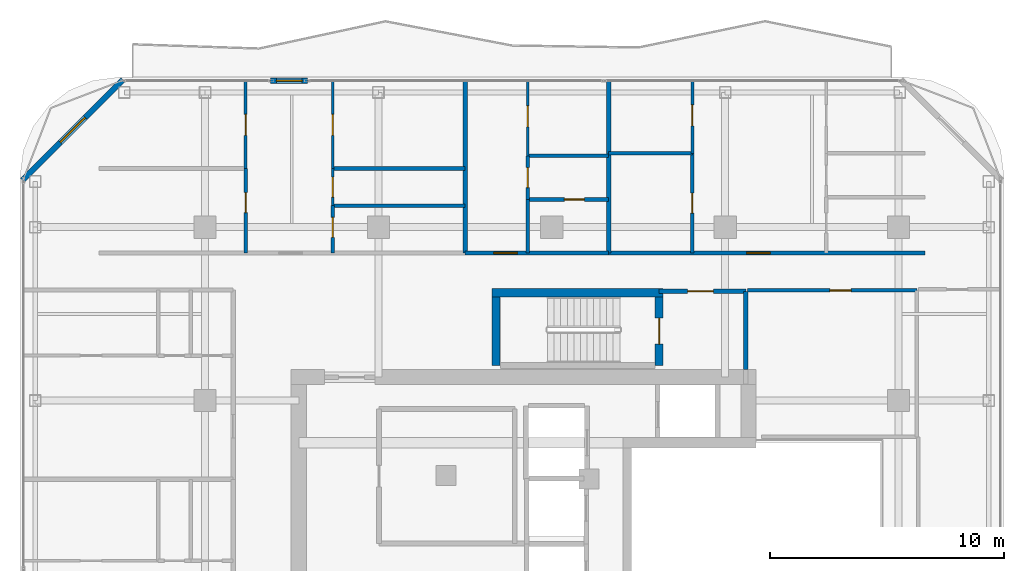
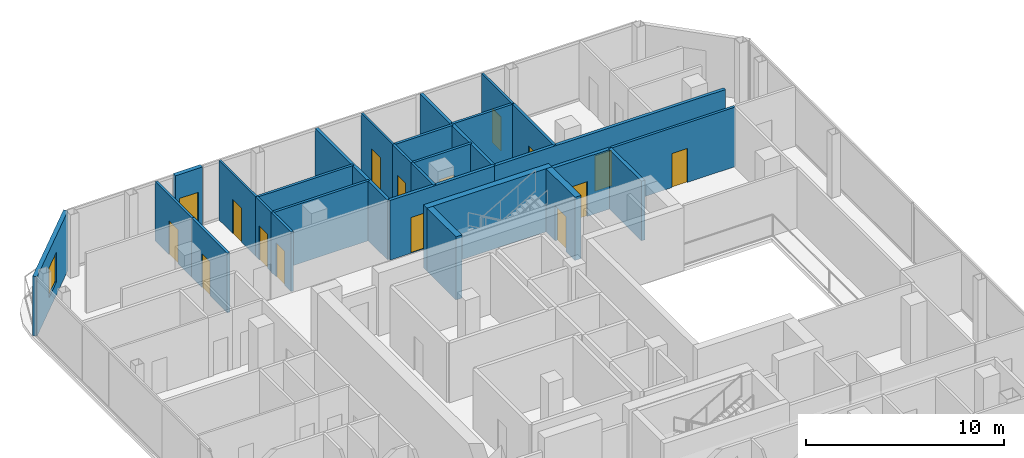
# One storey, part 19 of 23: 27 walls, 16 doors, 1 window, 17 openings.
"""IFC4 building model written with IfcOpenShell, lengths in metres."""

from ifc_helpers import new_model, si_unit, direction, frame, frame_2d, origin, place, context, subcontext, project, spatial, rectangle, extrude, material, layer, layer_set, type_object, element, fill, save


model = new_model("IFC4")

# Units and contexts
model_context = context("Model", 3, precision=1e-05, world=origin(), true_north=direction((0.0, 1.0)))
body_context = subcontext(model_context, "Body", "Model", "MODEL_VIEW")
ifc_project = project(units=[si_unit("LENGTHUNIT", "METRE"), si_unit("AREAUNIT", "SQUARE_METRE"), si_unit("VOLUMEUNIT", "CUBIC_METRE"), si_unit("PLANEANGLEUNIT", "RADIAN"), si_unit("MASSUNIT", "GRAM", prefix="KILO")], contexts=[model_context])

# Site, building, storey
site_placement = place(None, origin())
site = spatial("IfcSite", under=ifc_project, at=site_placement, CompositionType="ELEMENT")
building_placement = place(site_placement, origin())
building = spatial("IfcBuilding", under=site, at=building_placement, Name="Khorvyn Point Tower", CompositionType="ELEMENT")
storey_placement = place(building_placement, frame((0.0, 0.0, 297.60009765625)))
storey = spatial("IfcBuildingStorey", under=building, at=storey_placement, Name="L73", CompositionType="ELEMENT", Elevation=297.60009765625)

# Wall, opening, door
ifc_material_1 = material(Name="Double acoustic gypsum on twin steel stud", Category="steel")
ifc_layer_1 = layer(ifc_material_1, 0.179931640625)
ifc_layer_set_1 = layer_set([ifc_layer_1], Name="Acoustic Double-Stud Apartment Demising Wall 180")
wall_type_1 = type_object("IfcWallType", Name="Acoustic Double-Stud Apartment Demising Wall 180", PredefinedType="PARTITIONING", material=ifc_layer_set_1)
wall_1_placement = place(storey_placement, frame((-3.697021484375, 13.699951171875, 0.0), z_axis=(0.0, 0.0, 1.0), x_axis=(1.0, 0.0, 0.0)))
wall_1 = element("IfcWall", 1, at=wall_1_placement, inside=storey, type_object=wall_type_1, Name="Wall", PredefinedType="PARTITIONING", context=body_context, shape_type="SweptSolid", body=[
    extrude(rectangle(XDim=6.1259765625, YDim=0.179931640625, at=frame_2d((3.06298828125, 0.0))), origin(), (0.0, 0.0, 1.0), 3.679931640625),
])
opening_1_placement = place(wall_1_placement, frame((1.22802734375, 0.0, 0.0)))
opening_1 = element("IfcOpeningElement", 2, at=opening_1_placement, cuts=wall_1, Name="Opening ID-AP60", PredefinedType="OPENING", context=body_context, shape_type="SweptSolid", body=[
    extrude(rectangle(XDim=1.0, YDim=2.199951171875, at=frame_2d((0.5, 1.10009765625))), frame((0.0, 0.099853515625, 0.0), z_axis=(0.0, -1.0, 0.0), x_axis=(1.0, 0.0, 0.0)), (0.0, 0.0, 1.0), 0.199951171875),
])
ifc_material_2 = material(Name="Engineered hardwood fire-rated leaf", Category="wood")
door_type_1 = type_object("IfcDoorType", Name="Acoustic Solid-Core Timber Apartment Entrance Door 1000x2200", OperationType="NOTDEFINED", PredefinedType="DOOR", material=ifc_material_2)
door_1_placement = place(opening_1_placement, origin())
door_1 = element("IfcDoor", 3, at=door_1_placement, inside=storey, type_object=door_type_1, Name="Door", OperationType="SINGLE_SWING_RIGHT", OverallHeight=2.199951171875, OverallWidth=1.0, PredefinedType="DOOR", context=body_context, shape_type="SweptSolid", body=[
    extrude(rectangle(XDim=1.0, YDim=2.199951171875, at=frame_2d((0.5, 1.10009765625))), frame((0.0, 0.02490234375, 0.0), z_axis=(0.0, -1.0, 0.0), x_axis=(1.0, 0.0, 0.0)), (0.0, 0.0, 1.0), 0.050048828125),
])
fill(opening_1, door_1)

wall_2_placement = place(storey_placement, frame((2.428955078125, 13.699951171875, 0.0), z_axis=(0.0, 0.0, 1.0), x_axis=(1.0, 0.0, 0.0)))
wall_2 = element("IfcWall", 4, at=wall_2_placement, inside=storey, type_object=wall_type_1, Name="Wall", PredefinedType="PARTITIONING", context=body_context, shape_type="SweptSolid", body=[
    extrude(rectangle(XDim=13.490966796875, YDim=0.179931640625, at=frame_2d((6.74560546875, 0.0))), origin(), (0.0, 0.0, 1.0), 3.679931640625),
])
opening_2_placement = place(wall_2_placement, frame((5.887451171875, 0.0, 0.0)))
opening_2 = element("IfcOpeningElement", 5, at=opening_2_placement, cuts=wall_2, Name="Opening ID-AP60", PredefinedType="OPENING", context=body_context, shape_type="SweptSolid", body=[
    extrude(rectangle(XDim=1.0, YDim=2.199951171875, at=frame_2d((0.5, 1.10009765625))), frame((0.0, 0.099853515625, 0.0), z_axis=(0.0, -1.0, 0.0), x_axis=(1.0, 0.0, 0.0)), (0.0, 0.0, 1.0), 0.199951171875),
])
door_2_placement = place(opening_2_placement, origin())
door_2 = element("IfcDoor", 6, at=door_2_placement, inside=storey, type_object=door_type_1, Name="Door", OperationType="SINGLE_SWING_RIGHT", OverallHeight=2.199951171875, OverallWidth=1.0, PredefinedType="DOOR", context=body_context, shape_type="SweptSolid", body=[
    extrude(rectangle(XDim=1.0, YDim=2.199951171875, at=frame_2d((0.5, 1.10009765625))), frame((0.0, 0.02490234375, 0.0), z_axis=(0.0, -1.0, 0.0), x_axis=(1.0, 0.0, 0.0)), (0.0, 0.0, 1.0), 0.050048828125),
])
fill(opening_2, door_2)

# Walls
for number, where, z_axis, x_axis, name in (
    (7, (-3.697021484375, 13.699951171875, 0.0), (0.0, 0.0, 1.0), (0.0, 1.0, 0.0), "Wall"),
    (8, (2.428955078125, 13.699951171875, 0.0), (0.0, 0.0, 1.0), (0.0, 1.0, 0.0), "Wall"),
):
    element("IfcWall", number, at=place(storey_placement, frame(where, z_axis=z_axis, x_axis=x_axis)), inside=storey, type_object=wall_type_1, Name=name, PredefinedType="PARTITIONING", context=body_context, shape_type="SweptSolid", body=[
        extrude(rectangle(XDim=7.330078125, YDim=0.179931640625, at=frame_2d((3.6650390625, 0.0))), origin(), (0.0, 0.0, 1.0), 3.679931640625),
    ])

# Wall, opening, door
ifc_material_3 = material(Name="Pale anodised aluminium rainscreen on steel stud", Category="steel")
ifc_layer_2 = layer(ifc_material_3, 0.239990234375)
ifc_layer_set_2 = layer_set([ifc_layer_2], Name="Anodised Aluminium Insulated Corner Spandrel Wall 240")
wall_type_2 = type_object("IfcWallType", Name="Anodised Aluminium Insulated Corner Spandrel Wall 240", PredefinedType="SOLIDWALL", material=ifc_layer_set_2)
wall_3_placement = place(storey_placement, frame((-12.0, 21.050048828125, 0.0), z_axis=(0.0, 0.0, 1.0), x_axis=(1.0, 0.0, 0.0)))
wall_3 = element("IfcWall", 9, at=wall_3_placement, inside=storey, type_object=wall_type_2, Name="L73 North Outdoor Threshold Wall", PredefinedType="SOLIDWALL", context=body_context, shape_type="SweptSolid", body=[
    extrude(rectangle(XDim=1.580078125, YDim=0.239990234375, at=frame_2d((0.7900390625, 0.0))), origin(), (0.0, 0.0, 1.0), 3.679931640625),
])
opening_3_placement = place(wall_3_placement, frame((0.239990234375, 0.0, 0.0)))
opening_3 = element("IfcOpeningElement", 10, at=opening_3_placement, cuts=wall_3, Name="Opening BD-1122", PredefinedType="OPENING", context=body_context, shape_type="SweptSolid", body=[
    extrude(rectangle(XDim=1.10009765625, YDim=2.199951171875, at=frame_2d((0.550048828125, 1.10009765625))), frame((0.0, 0.1298828125, 0.0), z_axis=(0.0, -1.0, 0.0), x_axis=(1.0, 0.0, 0.0)), (0.0, 0.0, 1.0), 0.260009765625),
])
ifc_material_4 = material(Name="Anodised aluminium 6063-T6 and laminated Low-E glass", Category="aluminium")
door_type_2 = type_object("IfcDoorType", Name="Glazed Balcony and Terrace Threshold Door 1100x2200", OperationType="NOTDEFINED", PredefinedType="DOOR", material=ifc_material_4)
door_3_placement = place(opening_3_placement, origin())
door_3 = element("IfcDoor", 11, at=door_3_placement, inside=storey, type_object=door_type_2, Name="L73 North Glazed Balcony Outdoor Door", OperationType="SINGLE_SWING_RIGHT", OverallHeight=2.199951171875, OverallWidth=1.10009765625, PredefinedType="DOOR", context=body_context, shape_type="SweptSolid", body=[
    extrude(rectangle(XDim=1.10009765625, YDim=2.199951171875, at=frame_2d((0.550048828125, 1.10009765625))), frame((0.0, 0.02490234375, 0.0), z_axis=(0.0, -1.0, 0.0), x_axis=(1.0, 0.0, 0.0)), (0.0, 0.0, 1.0), 0.050048828125),
])
fill(opening_3, door_3)

# Wall, opening, window
wall_4_placement = place(storey_placement, frame((-22.59228515625, 16.8076171875, 0.0), z_axis=(0.0, 0.0, 1.0), x_axis=(0.707106781187, 0.707106781187, 0.0)))
wall_4 = element("IfcWall", 12, at=wall_4_placement, inside=storey, type_object=wall_type_2, Name="L73 Rounded Corner Wall NW", PredefinedType="SOLIDWALL", context=body_context, shape_type="SweptSolid", body=[
    extrude(rectangle(XDim=6.059326171875, YDim=0.239990234375, at=frame_2d((3.02978515625, 0.0))), origin(), (0.0, 0.0, 1.0), 3.679931640625),
])
opening_4_placement = place(wall_4_placement, frame((2.27978515625, 0.0, 0.800048828125)))
opening_4 = element("IfcOpeningElement", 13, at=opening_4_placement, cuts=wall_4, Name="Opening WN-1518", PredefinedType="OPENING", context=body_context, shape_type="SweptSolid", body=[
    extrude(rectangle(XDim=1.5, YDim=1.85009765625, at=frame_2d((0.75, 0.925048828125))), frame((0.0, 0.1298828125, 0.0), z_axis=(0.0, -1.0, 0.0), x_axis=(1.0, 0.0, 0.0)), (0.0, 0.0, 1.0), 0.260009765625),
])
window_type = type_object("IfcWindowType", Name="Anodised Aluminium Rounded-Corner Panoramic Window 1500x1850", PartitioningType="SINGLE_PANEL", PredefinedType="WINDOW", material=ifc_material_4)
window_placement = place(opening_4_placement, origin())
window = element("IfcWindow", 14, at=window_placement, inside=storey, type_object=window_type, Name="L73 Corner Panoramic Window NW", OverallHeight=1.85009765625, OverallWidth=1.5, PartitioningType="SINGLE_PANEL", PredefinedType="WINDOW", context=body_context, shape_type="SweptSolid", body=[
    extrude(rectangle(XDim=1.5, YDim=1.85009765625, at=frame_2d((0.75, 0.925048828125))), frame((0.0, 0.030029296875, 0.0), z_axis=(0.0, -1.0, 0.0), x_axis=(1.0, 0.0, 0.0)), (0.0, 0.0, 1.0), 0.06005859375),
])
fill(opening_4, window)

# Wall, opening, door
ifc_material_5 = material(Name="Concrete C40/50", Category="concrete")
ifc_layer_3 = layer(ifc_material_5, 0.199951171875)
ifc_layer_set_3 = layer_set([ifc_layer_3], Name="Concrete C40/50 Fire-Lobby Compartment Wall 200")
wall_type_3 = type_object("IfcWallType", Name="Concrete C40/50 Fire-Lobby Compartment Wall 200", PredefinedType="SOLIDWALL", material=ifc_layer_set_3)
wall_5_placement = place(storey_placement, frame((4.580078125, 12.06005859375, 0.0), z_axis=(0.0, 0.0, 1.0), x_axis=(1.0, 0.0, 0.0)))
wall_5 = element("IfcWall", 15, at=wall_5_placement, inside=storey, type_object=wall_type_3, Name="Wall", PredefinedType="SOLIDWALL", context=body_context, shape_type="SweptSolid", body=[
    extrude(rectangle(XDim=3.699951171875, YDim=0.199951171875, at=frame_2d((1.85009765625, 0.0))), origin(), (0.0, 0.0, 1.0), 3.679931640625),
])
opening_5_placement = place(wall_5_placement, frame((1.21240234375, 0.0, 0.0)))
opening_5 = element("IfcOpeningElement", 16, at=opening_5_placement, cuts=wall_5, Name="Opening ID-FL90", PredefinedType="OPENING", context=body_context, shape_type="SweptSolid", body=[
    extrude(rectangle(XDim=1.10009765625, YDim=2.14990234375, at=frame_2d((0.550048828125, 1.074951171875))), frame((0.0, 0.10986328125, 0.0), z_axis=(0.0, -1.0, 0.0), x_axis=(1.0, 0.0, 0.0)), (0.0, 0.0, 1.0), 0.219970703125),
])
ifc_material_6 = material(Name="Galvanised powder-coated steel", Category="steel")
door_type_3 = type_object("IfcDoorType", Name="Fire-Rated Steel Lobby and Stair Door 1100x2150", OperationType="NOTDEFINED", PredefinedType="DOOR", material=ifc_material_6)
door_4_placement = place(opening_5_placement, origin())
door_4 = element("IfcDoor", 17, at=door_4_placement, inside=storey, type_object=door_type_3, Name="Door", OperationType="SINGLE_SWING_RIGHT", OverallHeight=2.14990234375, OverallWidth=1.10009765625, PredefinedType="DOOR", context=body_context, shape_type="SweptSolid", body=[
    extrude(rectangle(XDim=1.10009765625, YDim=2.14990234375, at=frame_2d((0.550048828125, 1.074951171875))), frame((0.0, 0.02490234375, 0.0), z_axis=(0.0, -1.0, 0.0), x_axis=(1.0, 0.0, 0.0)), (0.0, 0.0, 1.0), 0.050048828125),
])
fill(opening_5, door_4)

# Walls
wall_6_placement = place(storey_placement, frame((8.280029296875, 8.72509765625, 0.0), z_axis=(0.0, 0.0, 1.0), x_axis=(0.0, 1.0, 0.0)))
element("IfcWall", 18, at=wall_6_placement, inside=storey, type_object=wall_type_3, Name="Wall", PredefinedType="SOLIDWALL", context=body_context, shape_type="SweptSolid", body=[
    extrude(rectangle(XDim=3.3349609375, YDim=0.199951171875, at=frame_2d((1.66748046875, 0.0))), origin(), (0.0, 0.0, 1.0), 3.679931640625),
])
ifc_layer_4 = layer(ifc_material_5, 0.35009765625)
ifc_layer_set_4 = layer_set([ifc_layer_4], Name="Concrete C40/50 Stair Shaft Structural Wall 350")
wall_type_4 = type_object("IfcWallType", Name="Concrete C40/50 Stair Shaft Structural Wall 350", PredefinedType="SHEAR", material=ifc_layer_set_4)
wall_7_placement = place(storey_placement, frame((-2.554931640625, 12.0, 0.0), z_axis=(0.0, 0.0, 1.0), x_axis=(1.0, 0.0, 0.0)))
element("IfcWall", 19, at=wall_7_placement, inside=storey, type_object=wall_type_4, Name="L73 ST-02 North Shaft Wall", PredefinedType="SHEAR", context=body_context, shape_type="SweptSolid", body=[
    extrude(rectangle(XDim=7.309814453125, YDim=0.35009765625, at=frame_2d((3.65478515625, 0.0))), origin(), (0.0, 0.0, 1.0), 3.89990234375),
])
wall_8_placement = place(storey_placement, frame((-2.3798828125, 8.89990234375, 0.0), z_axis=(0.0, 0.0, 1.0), x_axis=(0.0, 1.0, 0.0)))
element("IfcWall", 20, at=wall_8_placement, inside=storey, type_object=wall_type_4, Name="L73 ST-02 West Shaft Wall", PredefinedType="SHEAR", context=body_context, shape_type="SweptSolid", body=[
    extrude(rectangle(XDim=2.925048828125, YDim=0.35009765625, at=frame_2d((1.46240234375, 0.0))), origin(), (0.0, 0.0, 1.0), 3.89990234375),
])

# Wall, opening, door
wall_9_placement = place(storey_placement, frame((4.580078125, 11.824951171875, 0.0), z_axis=(0.0, 0.0, 1.0), x_axis=(0.0, -1.0, 0.0)))
wall_9 = element("IfcWall", 21, at=wall_9_placement, inside=storey, type_object=wall_type_4, Name="L73 ST-02 East Landing Door Wall", PredefinedType="SHEAR", context=body_context, shape_type="SweptSolid", body=[
    extrude(rectangle(XDim=2.925048828125, YDim=0.35009765625, at=frame_2d((1.46240234375, 0.0))), origin(), (0.0, 0.0, 1.0), 3.89990234375),
])
opening_6_placement = place(wall_9_placement, frame((0.91259765625, 0.0, 0.0)))
opening_6 = element("IfcOpeningElement", 22, at=opening_6_placement, cuts=wall_9, Name="Opening ID-FL90", PredefinedType="OPENING", context=body_context, shape_type="SweptSolid", body=[
    extrude(rectangle(XDim=1.10009765625, YDim=2.14990234375, at=frame_2d((0.550048828125, 1.074951171875))), frame((0.0, 0.18505859375, 0.0), z_axis=(0.0, -1.0, 0.0), x_axis=(1.0, 0.0, 0.0)), (0.0, 0.0, 1.0), 0.3701171875),
])
door_5_placement = place(opening_6_placement, origin())
door_5 = element("IfcDoor", 23, at=door_5_placement, inside=storey, type_object=door_type_3, Name="L73 ST-02 Smokeproof Landing Door", OperationType="SINGLE_SWING_RIGHT", OverallHeight=2.14990234375, OverallWidth=1.10009765625, PredefinedType="DOOR", context=body_context, shape_type="SweptSolid", body=[
    extrude(rectangle(XDim=1.10009765625, YDim=2.14990234375, at=frame_2d((0.550048828125, 1.074951171875))), frame((0.0, 0.02490234375, 0.0), z_axis=(0.0, -1.0, 0.0), x_axis=(1.0, 0.0, 0.0)), (0.0, 0.0, 1.0), 0.050048828125),
])
fill(opening_6, door_5)

ifc_material_7 = material(Name="Gypsum plasterboard on steel stud", Category="steel")
ifc_layer_5 = layer(ifc_material_7, 0.1201171875)
ifc_layer_set_5 = layer_set([ifc_layer_5], Name="Gypsum Acoustic Stud Room Partition Wall 120")
wall_type_5 = type_object("IfcWallType", Name="Gypsum Acoustic Stud Room Partition Wall 120", PredefinedType="PARTITIONING", material=ifc_layer_set_5)
wall_10_placement = place(storey_placement, frame((-13.071044921875, 17.303955078125, 0.0), z_axis=(0.0, 0.0, 1.0), x_axis=(0.0, 1.0, 0.0)))
wall_10 = element("IfcWall", 24, at=wall_10_placement, inside=storey, type_object=wall_type_5, Name="Wall", PredefinedType="PARTITIONING", context=body_context, shape_type="SweptSolid", body=[
    extrude(rectangle(XDim=3.72607421875, YDim=0.1201171875, at=frame_2d((1.863037109375, 0.0))), origin(), (0.0, 0.0, 1.0), 3.679931640625),
])
opening_7_placement = place(wall_10_placement, frame((1.4130859375, 0.0, 0.0)))
opening_7 = element("IfcOpeningElement", 25, at=opening_7_placement, cuts=wall_10, Name="Opening ID-RM90", PredefinedType="OPENING", context=body_context, shape_type="SweptSolid", body=[
    extrude(rectangle(XDim=0.89990234375, YDim=2.10009765625, at=frame_2d((0.449951171875, 1.050048828125))), frame((0.0, 0.070068359375, 0.0), z_axis=(0.0, -1.0, 0.0), x_axis=(1.0, 0.0, 0.0)), (0.0, 0.0, 1.0), 0.14013671875),
])
ifc_material_8 = material(Name="Engineered oak veneer timber", Category="wood")
door_type_4 = type_object("IfcDoorType", Name="Flush Engineered Timber Room Door 900x2100", OperationType="NOTDEFINED", PredefinedType="DOOR", material=ifc_material_8)
door_6_placement = place(opening_7_placement, origin())
door_6 = element("IfcDoor", 26, at=door_6_placement, inside=storey, type_object=door_type_4, Name="Door", OperationType="SINGLE_SWING_RIGHT", OverallHeight=2.10009765625, OverallWidth=0.89990234375, PredefinedType="DOOR", context=body_context, shape_type="SweptSolid", body=[
    extrude(rectangle(XDim=0.89990234375, YDim=2.10009765625, at=frame_2d((0.449951171875, 1.050048828125))), frame((0.0, 0.02490234375, 0.0), z_axis=(0.0, -1.0, 0.0), x_axis=(1.0, 0.0, 0.0)), (0.0, 0.0, 1.0), 0.050048828125),
])
fill(opening_7, door_6)

wall_11_placement = place(storey_placement, frame((-9.34912109375, 15.718017578125, 0.0), z_axis=(0.0, 0.0, 1.0), x_axis=(0.0, 1.0, 0.0)))
wall_11 = element("IfcWall", 27, at=wall_11_placement, inside=storey, type_object=wall_type_5, Name="Wall", PredefinedType="PARTITIONING", context=body_context, shape_type="SweptSolid", body=[
    extrude(rectangle(XDim=1.5859375, YDim=0.1201171875, at=frame_2d((0.79296875, 0.0))), origin(), (0.0, 0.0, 1.0), 3.679931640625),
])
opening_8_placement = place(wall_11_placement, frame((0.367919921875, 0.0, 0.0)))
opening_8 = element("IfcOpeningElement", 28, at=opening_8_placement, cuts=wall_11, Name="Opening ID-WC85", PredefinedType="OPENING", context=body_context, shape_type="SweptSolid", body=[
    extrude(rectangle(XDim=0.85009765625, YDim=2.10009765625, at=frame_2d((0.425048828125, 1.050048828125))), frame((0.0, 0.070068359375, 0.0), z_axis=(0.0, -1.0, 0.0), x_axis=(1.0, 0.0, 0.0)), (0.0, 0.0, 1.0), 0.14013671875),
])
ifc_material_9 = material(Name="High-pressure laminate on moisture-resistant core", Category="wood")
door_type_5 = type_object("IfcDoorType", Name="Moisture-Resistant Accessible Washroom Door 850x2100", OperationType="NOTDEFINED", PredefinedType="DOOR", material=ifc_material_9)
door_7_placement = place(opening_8_placement, origin())
door_7 = element("IfcDoor", 29, at=door_7_placement, inside=storey, type_object=door_type_5, Name="Door", OperationType="SINGLE_SWING_RIGHT", OverallHeight=2.10009765625, OverallWidth=0.85009765625, PredefinedType="DOOR", context=body_context, shape_type="SweptSolid", body=[
    extrude(rectangle(XDim=0.85009765625, YDim=2.10009765625, at=frame_2d((0.425048828125, 1.050048828125))), frame((0.0, 0.02490234375, 0.0), z_axis=(0.0, -1.0, 0.0), x_axis=(1.0, 0.0, 0.0)), (0.0, 0.0, 1.0), 0.050048828125),
])
fill(opening_8, door_7)

wall_12_placement = place(storey_placement, frame((-9.34912109375, 17.303955078125, 0.0), z_axis=(0.0, 0.0, 1.0), x_axis=(0.0, 1.0, 0.0)))
wall_12 = element("IfcWall", 30, at=wall_12_placement, inside=storey, type_object=wall_type_5, Name="Wall", PredefinedType="PARTITIONING", context=body_context, shape_type="SweptSolid", body=[
    extrude(rectangle(XDim=3.72607421875, YDim=0.1201171875, at=frame_2d((1.863037109375, 0.0))), origin(), (0.0, 0.0, 1.0), 3.679931640625),
])
opening_9_placement = place(wall_12_placement, frame((1.4130859375, 0.0, 0.0)))
opening_9 = element("IfcOpeningElement", 31, at=opening_9_placement, cuts=wall_12, Name="Opening ID-RM90", PredefinedType="OPENING", context=body_context, shape_type="SweptSolid", body=[
    extrude(rectangle(XDim=0.89990234375, YDim=2.10009765625, at=frame_2d((0.449951171875, 1.050048828125))), frame((0.0, 0.070068359375, 0.0), z_axis=(0.0, -1.0, 0.0), x_axis=(1.0, 0.0, 0.0)), (0.0, 0.0, 1.0), 0.14013671875),
])
door_8_placement = place(opening_9_placement, origin())
door_8 = element("IfcDoor", 32, at=door_8_placement, inside=storey, type_object=door_type_4, Name="Door", OperationType="SINGLE_SWING_LEFT", OverallHeight=2.10009765625, OverallWidth=0.89990234375, PredefinedType="DOOR", context=body_context, shape_type="SweptSolid", body=[
    extrude(rectangle(XDim=0.89990234375, YDim=2.10009765625, at=frame_2d((0.449951171875, 1.050048828125))), frame((0.0, 0.02490234375, 0.0), z_axis=(0.0, -1.0, 0.0), x_axis=(1.0, 0.0, 0.0)), (0.0, 0.0, 1.0), 0.050048828125),
])
fill(opening_9, door_8)

wall_13_placement = place(storey_placement, frame((-1.031005859375, 17.846923828125, 0.0), z_axis=(0.0, 0.0, 1.0), x_axis=(0.0, 1.0, 0.0)))
wall_13 = element("IfcWall", 33, at=wall_13_placement, inside=storey, type_object=wall_type_5, Name="Wall", PredefinedType="PARTITIONING", context=body_context, shape_type="SweptSolid", body=[
    extrude(rectangle(XDim=3.18310546875, YDim=0.1201171875, at=frame_2d((1.591552734375, 0.0))), origin(), (0.0, 0.0, 1.0), 3.679931640625),
])
opening_10_placement = place(wall_13_placement, frame((1.230712890625, 0.0, 0.0)))
opening_10 = element("IfcOpeningElement", 34, at=opening_10_placement, cuts=wall_13, Name="Opening ID-RM90", PredefinedType="OPENING", context=body_context, shape_type="SweptSolid", body=[
    extrude(rectangle(XDim=0.89990234375, YDim=2.10009765625, at=frame_2d((0.449951171875, 1.050048828125))), frame((0.0, 0.070068359375, 0.0), z_axis=(0.0, -1.0, 0.0), x_axis=(1.0, 0.0, 0.0)), (0.0, 0.0, 1.0), 0.14013671875),
])
door_9_placement = place(opening_10_placement, origin())
door_9 = element("IfcDoor", 35, at=door_9_placement, inside=storey, type_object=door_type_4, Name="Door", OperationType="SINGLE_SWING_LEFT", OverallHeight=2.10009765625, OverallWidth=0.89990234375, PredefinedType="DOOR", context=body_context, shape_type="SweptSolid", body=[
    extrude(rectangle(XDim=0.89990234375, YDim=2.10009765625, at=frame_2d((0.449951171875, 1.050048828125))), frame((0.0, 0.02490234375, 0.0), z_axis=(0.0, -1.0, 0.0), x_axis=(1.0, 0.0, 0.0)), (0.0, 0.0, 1.0), 0.050048828125),
])
fill(opening_10, door_9)

wall_14_placement = place(storey_placement, frame((5.9990234375, 17.949951171875, 0.0), z_axis=(0.0, 0.0, 1.0), x_axis=(0.0, 1.0, 0.0)))
wall_14 = element("IfcWall", 36, at=wall_14_placement, inside=storey, type_object=wall_type_5, Name="Wall", PredefinedType="PARTITIONING", context=body_context, shape_type="SweptSolid", body=[
    extrude(rectangle(XDim=3.080078125, YDim=0.1201171875, at=frame_2d((1.5400390625, 0.0))), origin(), (0.0, 0.0, 1.0), 3.679931640625),
])
opening_11_placement = place(wall_14_placement, frame((1.174560546875, 0.0, 0.0)))
opening_11 = element("IfcOpeningElement", 37, at=opening_11_placement, cuts=wall_14, Name="Opening ID-RM90", PredefinedType="OPENING", context=body_context, shape_type="SweptSolid", body=[
    extrude(rectangle(XDim=0.89990234375, YDim=2.10009765625, at=frame_2d((0.449951171875, 1.050048828125))), frame((0.0, 0.070068359375, 0.0), z_axis=(0.0, -1.0, 0.0), x_axis=(1.0, 0.0, 0.0)), (0.0, 0.0, 1.0), 0.14013671875),
])
door_10_placement = place(opening_11_placement, origin())
door_10 = element("IfcDoor", 38, at=door_10_placement, inside=storey, type_object=door_type_4, Name="Door", OperationType="SINGLE_SWING_RIGHT", OverallHeight=2.10009765625, OverallWidth=0.89990234375, PredefinedType="DOOR", context=body_context, shape_type="SweptSolid", body=[
    extrude(rectangle(XDim=0.89990234375, YDim=2.10009765625, at=frame_2d((0.449951171875, 1.050048828125))), frame((0.0, 0.02490234375, 0.0), z_axis=(0.0, -1.0, 0.0), x_axis=(1.0, 0.0, 0.0)), (0.0, 0.0, 1.0), 0.050048828125),
])
fill(opening_11, door_10)

ifc_material_10 = material(Name="Moisture-resistant gypsum and cement board", Category="gypsum")
ifc_layer_6 = layer(ifc_material_10, 0.14990234375)
ifc_layer_set_6 = layer_set([ifc_layer_6], Name="Moisture-Resistant Wet-Room Partition Wall 150")
wall_type_6 = type_object("IfcWallType", Name="Moisture-Resistant Wet-Room Partition Wall 150", PredefinedType="PARTITIONING", material=ifc_layer_set_6)
wall_15_placement = place(storey_placement, frame((8.360107421875, 12.10009765625, 0.0), z_axis=(0.0, 0.0, 1.0), x_axis=(1.0, 0.0, 0.0)))
wall_15 = element("IfcWall", 39, at=wall_15_placement, inside=storey, type_object=wall_type_6, Name="Wall", PredefinedType="PARTITIONING", context=body_context, shape_type="SweptSolid", body=[
    extrude(rectangle(XDim=7.219970703125, YDim=0.14990234375, at=frame_2d((3.60986328125, 0.0))), origin(), (0.0, 0.0, 1.0), 3.679931640625),
])
opening_12_placement = place(wall_15_placement, frame((3.512939453125, 0.0, 0.0)))
opening_12 = element("IfcOpeningElement", 40, at=opening_12_placement, cuts=wall_15, Name="Opening ID-RM90", PredefinedType="OPENING", context=body_context, shape_type="SweptSolid", body=[
    extrude(rectangle(XDim=0.89990234375, YDim=2.10009765625, at=frame_2d((0.449951171875, 1.050048828125))), frame((0.0, 0.0849609375, 0.0), z_axis=(0.0, -1.0, 0.0), x_axis=(1.0, 0.0, 0.0)), (0.0, 0.0, 1.0), 0.169921875),
])
door_11_placement = place(opening_12_placement, origin())
door_11 = element("IfcDoor", 41, at=door_11_placement, inside=storey, type_object=door_type_4, Name="Door", OperationType="SINGLE_SWING_LEFT", OverallHeight=2.10009765625, OverallWidth=0.89990234375, PredefinedType="DOOR", context=body_context, shape_type="SweptSolid", body=[
    extrude(rectangle(XDim=0.89990234375, YDim=2.10009765625, at=frame_2d((0.449951171875, 1.050048828125))), frame((0.0, 0.02490234375, 0.0), z_axis=(0.0, -1.0, 0.0), x_axis=(1.0, 0.0, 0.0)), (0.0, 0.0, 1.0), 0.050048828125),
])
fill(opening_12, door_11)

wall_16_placement = place(storey_placement, frame((-13.071044921875, 13.699951171875, 0.0), z_axis=(0.0, 0.0, 1.0), x_axis=(0.0, 1.0, 0.0)))
wall_16 = element("IfcWall", 42, at=wall_16_placement, inside=storey, type_object=wall_type_6, Name="Wall", PredefinedType="PARTITIONING", context=body_context, shape_type="SweptSolid", body=[
    extrude(rectangle(XDim=3.60400390625, YDim=0.14990234375, at=frame_2d((1.802001953125, 0.0))), origin(), (0.0, 0.0, 1.0), 3.679931640625),
])
opening_13_placement = place(wall_16_placement, frame((1.724609375, 0.0, 0.0)))
opening_13 = element("IfcOpeningElement", 43, at=opening_13_placement, cuts=wall_16, Name="Opening ID-WC85", PredefinedType="OPENING", context=body_context, shape_type="SweptSolid", body=[
    extrude(rectangle(XDim=0.85009765625, YDim=2.10009765625, at=frame_2d((0.425048828125, 1.050048828125))), frame((0.0, 0.0849609375, 0.0), z_axis=(0.0, -1.0, 0.0), x_axis=(1.0, 0.0, 0.0)), (0.0, 0.0, 1.0), 0.169921875),
])
door_12_placement = place(opening_13_placement, origin())
door_12 = element("IfcDoor", 44, at=door_12_placement, inside=storey, type_object=door_type_5, Name="Door", OperationType="SINGLE_SWING_LEFT", OverallHeight=2.10009765625, OverallWidth=0.85009765625, PredefinedType="DOOR", context=body_context, shape_type="SweptSolid", body=[
    extrude(rectangle(XDim=0.85009765625, YDim=2.10009765625, at=frame_2d((0.425048828125, 1.050048828125))), frame((0.0, 0.02490234375, 0.0), z_axis=(0.0, -1.0, 0.0), x_axis=(1.0, 0.0, 0.0)), (0.0, 0.0, 1.0), 0.050048828125),
])
fill(opening_13, door_12)

wall_17_placement = place(storey_placement, frame((-9.34912109375, 13.699951171875, 0.0), z_axis=(0.0, 0.0, 1.0), x_axis=(0.0, 1.0, 0.0)))
wall_17 = element("IfcWall", 45, at=wall_17_placement, inside=storey, type_object=wall_type_6, Name="Wall", PredefinedType="PARTITIONING", context=body_context, shape_type="SweptSolid", body=[
    extrude(rectangle(XDim=2.01806640625, YDim=0.14990234375, at=frame_2d((1.009033203125, 0.0))), origin(), (0.0, 0.0, 1.0), 3.679931640625),
])
opening_14_placement = place(wall_17_placement, frame((0.668701171875, 0.0, 0.0)))
opening_14 = element("IfcOpeningElement", 46, at=opening_14_placement, cuts=wall_17, Name="Opening ID-WC85", PredefinedType="OPENING", context=body_context, shape_type="SweptSolid", body=[
    extrude(rectangle(XDim=0.85009765625, YDim=2.10009765625, at=frame_2d((0.425048828125, 1.050048828125))), frame((0.0, 0.0849609375, 0.0), z_axis=(0.0, -1.0, 0.0), x_axis=(1.0, 0.0, 0.0)), (0.0, 0.0, 1.0), 0.169921875),
])
door_13_placement = place(opening_14_placement, origin())
door_13 = element("IfcDoor", 47, at=door_13_placement, inside=storey, type_object=door_type_5, Name="Door", OperationType="SINGLE_SWING_LEFT", OverallHeight=2.10009765625, OverallWidth=0.85009765625, PredefinedType="DOOR", context=body_context, shape_type="SweptSolid", body=[
    extrude(rectangle(XDim=0.85009765625, YDim=2.10009765625, at=frame_2d((0.425048828125, 1.050048828125))), frame((0.0, 0.02490234375, 0.0), z_axis=(0.0, -1.0, 0.0), x_axis=(1.0, 0.0, 0.0)), (0.0, 0.0, 1.0), 0.050048828125),
])
fill(opening_14, door_13)

# Wall
wall_18_placement = place(storey_placement, frame((-1.031005859375, 13.699951171875, 0.0), z_axis=(0.0, 0.0, 1.0), x_axis=(0.0, 1.0, 0.0)))
element("IfcWall", 48, at=wall_18_placement, inside=storey, type_object=wall_type_6, Name="Wall", PredefinedType="PARTITIONING", context=body_context, shape_type="SweptSolid", body=[
    extrude(rectangle(XDim=2.281005859375, YDim=0.14990234375, at=frame_2d((1.140625, 0.0))), origin(), (0.0, 0.0, 1.0), 3.679931640625),
])

# Wall, opening, door
wall_19_placement = place(storey_placement, frame((-1.031005859375, 15.98095703125, 0.0), z_axis=(0.0, 0.0, 1.0), x_axis=(0.0, 1.0, 0.0)))
wall_19 = element("IfcWall", 49, at=wall_19_placement, inside=storey, type_object=wall_type_6, Name="Wall", PredefinedType="PARTITIONING", context=body_context, shape_type="SweptSolid", body=[
    extrude(rectangle(XDim=1.865966796875, YDim=0.14990234375, at=frame_2d((0.93310546875, 0.0))), origin(), (0.0, 0.0, 1.0), 3.679931640625),
])
opening_15_placement = place(wall_19_placement, frame((0.508056640625, 0.0, 0.0)))
opening_15 = element("IfcOpeningElement", 50, at=opening_15_placement, cuts=wall_19, Name="Opening ID-WC85", PredefinedType="OPENING", context=body_context, shape_type="SweptSolid", body=[
    extrude(rectangle(XDim=0.85009765625, YDim=2.10009765625, at=frame_2d((0.425048828125, 1.050048828125))), frame((0.0, 0.0849609375, 0.0), z_axis=(0.0, -1.0, 0.0), x_axis=(1.0, 0.0, 0.0)), (0.0, 0.0, 1.0), 0.169921875),
])
door_14_placement = place(opening_15_placement, origin())
door_14 = element("IfcDoor", 51, at=door_14_placement, inside=storey, type_object=door_type_5, Name="Door", OperationType="SINGLE_SWING_RIGHT", OverallHeight=2.10009765625, OverallWidth=0.85009765625, PredefinedType="DOOR", context=body_context, shape_type="SweptSolid", body=[
    extrude(rectangle(XDim=0.85009765625, YDim=2.10009765625, at=frame_2d((0.425048828125, 1.050048828125))), frame((0.0, 0.02490234375, 0.0), z_axis=(0.0, -1.0, 0.0), x_axis=(1.0, 0.0, 0.0)), (0.0, 0.0, 1.0), 0.050048828125),
])
fill(opening_15, door_14)

wall_20_placement = place(storey_placement, frame((5.9990234375, 13.699951171875, 0.0), z_axis=(0.0, 0.0, 1.0), x_axis=(0.0, 1.0, 0.0)))
wall_20 = element("IfcWall", 52, at=wall_20_placement, inside=storey, type_object=wall_type_6, Name="Wall", PredefinedType="PARTITIONING", context=body_context, shape_type="SweptSolid", body=[
    extrude(rectangle(XDim=4.25, YDim=0.14990234375, at=frame_2d((2.125, 0.0))), origin(), (0.0, 0.0, 1.0), 3.679931640625),
])
opening_16_placement = place(wall_20_placement, frame((1.699951171875, 0.0, 0.0)))
opening_16 = element("IfcOpeningElement", 53, at=opening_16_placement, cuts=wall_20, Name="Opening ID-WC85", PredefinedType="OPENING", context=body_context, shape_type="SweptSolid", body=[
    extrude(rectangle(XDim=0.85009765625, YDim=2.10009765625, at=frame_2d((0.425048828125, 1.050048828125))), frame((0.0, 0.0849609375, 0.0), z_axis=(0.0, -1.0, 0.0), x_axis=(1.0, 0.0, 0.0)), (0.0, 0.0, 1.0), 0.169921875),
])
door_15_placement = place(opening_16_placement, origin())
door_15 = element("IfcDoor", 54, at=door_15_placement, inside=storey, type_object=door_type_5, Name="Door", OperationType="SINGLE_SWING_LEFT", OverallHeight=2.10009765625, OverallWidth=0.85009765625, PredefinedType="DOOR", context=body_context, shape_type="SweptSolid", body=[
    extrude(rectangle(XDim=0.85009765625, YDim=2.10009765625, at=frame_2d((0.425048828125, 1.050048828125))), frame((0.0, 0.02490234375, 0.0), z_axis=(0.0, -1.0, 0.0), x_axis=(1.0, 0.0, 0.0)), (0.0, 0.0, 1.0), 0.050048828125),
])
fill(opening_16, door_15)

# Walls
for number, where, z_axis, x_axis, name in (
    (55, (-9.34912109375, 15.718017578125, 0.0), (0.0, 0.0, 1.0), (1.0, 0.0, 0.0), "Wall"),
    (56, (-9.34912109375, 17.303955078125, 0.0), (0.0, 0.0, 1.0), (1.0, 0.0, 0.0), "Wall"),
):
    element("IfcWall", number, at=place(storey_placement, frame(where, z_axis=z_axis, x_axis=x_axis)), inside=storey, type_object=wall_type_6, Name=name, PredefinedType="PARTITIONING", context=body_context, shape_type="SweptSolid", body=[
        extrude(rectangle(XDim=5.652099609375, YDim=0.14990234375, at=frame_2d((2.826171875, 0.0))), origin(), (0.0, 0.0, 1.0), 3.679931640625),
    ])

# Wall, opening, door
wall_21_placement = place(storey_placement, frame((-1.031005859375, 15.98095703125, 0.0), z_axis=(0.0, 0.0, 1.0), x_axis=(1.0, 0.0, 0.0)))
wall_21 = element("IfcWall", 57, at=wall_21_placement, inside=storey, type_object=wall_type_6, Name="Wall", PredefinedType="PARTITIONING", context=body_context, shape_type="SweptSolid", body=[
    extrude(rectangle(XDim=3.4599609375, YDim=0.14990234375, at=frame_2d((1.72998046875, 0.0))), origin(), (0.0, 0.0, 1.0), 3.679931640625),
])
opening_17_placement = place(wall_21_placement, frame((1.569091796875, 0.0, 0.0)))
opening_17 = element("IfcOpeningElement", 58, at=opening_17_placement, cuts=wall_21, Name="Opening ID-WC85", PredefinedType="OPENING", context=body_context, shape_type="SweptSolid", body=[
    extrude(rectangle(XDim=0.85009765625, YDim=2.10009765625, at=frame_2d((0.425048828125, 1.050048828125))), frame((0.0, 0.0849609375, 0.0), z_axis=(0.0, -1.0, 0.0), x_axis=(1.0, 0.0, 0.0)), (0.0, 0.0, 1.0), 0.169921875),
])
door_16_placement = place(opening_17_placement, origin())
door_16 = element("IfcDoor", 59, at=door_16_placement, inside=storey, type_object=door_type_5, Name="Door", OperationType="SINGLE_SWING_LEFT", OverallHeight=2.10009765625, OverallWidth=0.85009765625, PredefinedType="DOOR", context=body_context, shape_type="SweptSolid", body=[
    extrude(rectangle(XDim=0.85009765625, YDim=2.10009765625, at=frame_2d((0.425048828125, 1.050048828125))), frame((0.0, 0.02490234375, 0.0), z_axis=(0.0, -1.0, 0.0), x_axis=(1.0, 0.0, 0.0)), (0.0, 0.0, 1.0), 0.050048828125),
])
fill(opening_17, door_16)

# Walls
wall_22_placement = place(storey_placement, frame((-1.031005859375, 17.846923828125, 0.0), z_axis=(0.0, 0.0, 1.0), x_axis=(1.0, 0.0, 0.0)))
element("IfcWall", 60, at=wall_22_placement, inside=storey, type_object=wall_type_6, Name="Wall", PredefinedType="PARTITIONING", context=body_context, shape_type="SweptSolid", body=[
    extrude(rectangle(XDim=3.4599609375, YDim=0.14990234375, at=frame_2d((1.72998046875, 0.0))), origin(), (0.0, 0.0, 1.0), 3.679931640625),
])
wall_23_placement = place(storey_placement, frame((2.428955078125, 17.949951171875, 0.0), z_axis=(0.0, 0.0, 1.0), x_axis=(1.0, 0.0, 0.0)))
element("IfcWall", 61, at=wall_23_placement, inside=storey, type_object=wall_type_6, Name="Wall", PredefinedType="PARTITIONING", context=body_context, shape_type="SweptSolid", body=[
    extrude(rectangle(XDim=3.570068359375, YDim=0.14990234375, at=frame_2d((1.78515625, 0.0))), origin(), (0.0, 0.0, 1.0), 3.679931640625),
])

save(model, "model.ifc")
